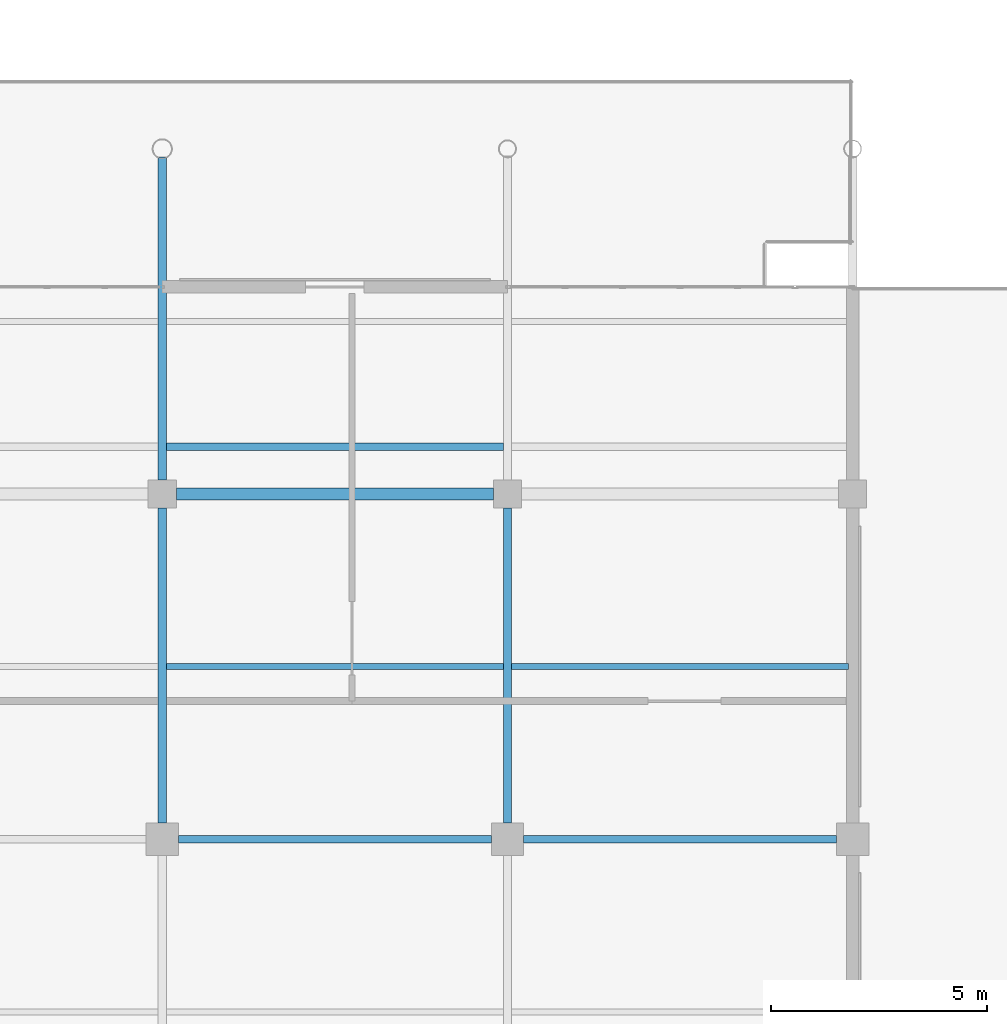
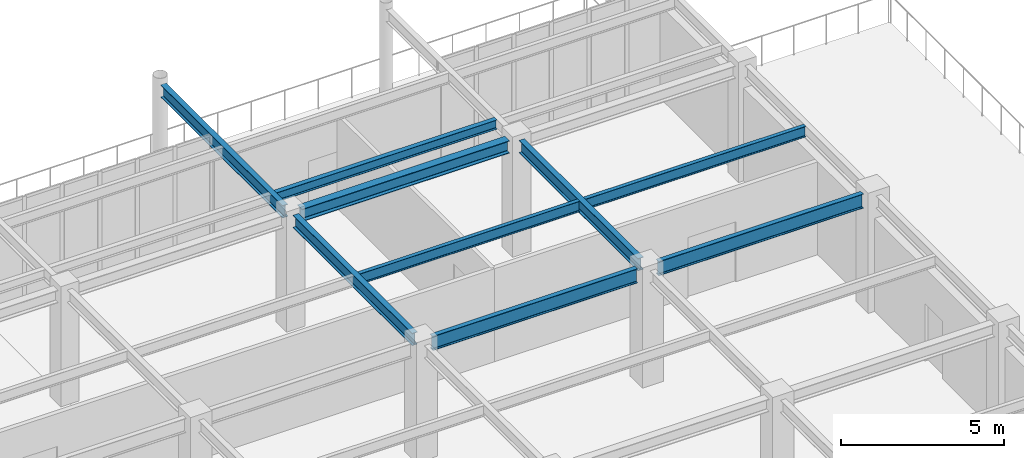
# One storey, part 25 of 75: 9 beams.
"""IFC4 building model written with IfcOpenShell, lengths in metres."""

from ifc_helpers import new_model, si_unit, direction, frame, origin, origin_2d, place, context, subcontext, project, spatial, i_section, extrude, material, material_profile, profile_set, type_object, element, save


model = new_model("IFC4")

# Units and contexts
model_context = context("Model", 3, precision=1e-05, world=origin(), true_north=direction((0.0, 1.0)))
body_context = subcontext(model_context, "Body", "Model", "MODEL_VIEW")
ifc_project = project(units=[si_unit("LENGTHUNIT", "METRE"), si_unit("AREAUNIT", "SQUARE_METRE"), si_unit("VOLUMEUNIT", "CUBIC_METRE"), si_unit("PLANEANGLEUNIT", "RADIAN"), si_unit("MASSUNIT", "GRAM", prefix="KILO")], contexts=[model_context])

# Site, building, storey
site_placement = place(None, origin())
site = spatial("IfcSite", under=ifc_project, at=site_placement, CompositionType="ELEMENT")
building_placement = place(site_placement, origin())
building = spatial("IfcBuilding", under=site, at=building_placement, Name="Solmirada Galleria", CompositionType="ELEMENT")
storey_placement = place(building_placement, frame((0.0, 0.0, 19.39990234375)))
storey = spatial("IfcBuildingStorey", under=building, at=storey_placement, Name="L04", CompositionType="ELEMENT", Elevation=19.39990234375)

# Beams
ifc_material = material(Name="Steel S355 / ASTM A992 Grade 50", Category="steel")
ifc_material_profile_1 = material_profile(ifc_material, i_section(OverallWidth=0.281982421875, OverallDepth=0.467041015625, WebThickness=0.01220703125, FlangeThickness=0.01953125, FilletRadius=0.013916015625, at=origin_2d()), Name="W18X86")
ifc_profile_set_1 = profile_set([ifc_material_profile_1], Name="Steel S355 / ASTM A992 Grade 50")
beam_type_1 = type_object("IfcBeamType", Name="BM-GIRD-W18A", PredefinedType="BEAM", material=ifc_profile_set_1)
beam_1_placement = place(storey_placement, frame((120.324951171875, 24.0, 4.026611328125), z_axis=(1.0, 0.0, 0.0), x_axis=(0.0, 1.0, 0.0)))
element("IfcBeam", 1, at=beam_1_placement, inside=storey, type_object=beam_type_1, Name="Primary beam L05 X(120..128, 24)", PredefinedType="BEAM", context=body_context, shape_type="SweptSolid", body=[
    extrude(i_section(OverallWidth=0.281982421875, OverallDepth=0.467041015625, WebThickness=0.01220703125, FlangeThickness=0.01953125, FilletRadius=0.013916015625, at=origin_2d()), origin(), (0.0, 0.0, 1.0), 7.35009765625),
])
ifc_material_profile_2 = material_profile(ifc_material, i_section(OverallWidth=0.193115234375, OverallDepth=0.466064453125, WebThickness=0.011474609375, FlangeThickness=0.01904296875, FilletRadius=0.013916015625, at=origin_2d()), Name="W18X65")
ifc_profile_set_2 = profile_set([ifc_material_profile_2], Name="Steel S355 / ASTM A992 Grade 50")
beam_type_2 = type_object("IfcBeamType", Name="BM-GIRD-W18C", PredefinedType="BEAM", material=ifc_profile_set_2)
beam_2_placement = place(storey_placement, frame((120.0, 16.375, 4.067138671875), z_axis=(0.0, 1.0, 0.0), x_axis=(-1.0, 0.0, 0.0)))
element("IfcBeam", 2, at=beam_2_placement, inside=storey, type_object=beam_type_2, Name="Primary girder L05 Y(120, 16..24)", PredefinedType="BEAM", context=body_context, shape_type="SweptSolid", body=[
    extrude(i_section(OverallWidth=0.193115234375, OverallDepth=0.466064453125, WebThickness=0.011474609375, FlangeThickness=0.01904296875, FilletRadius=0.013916015625, at=origin_2d()), origin(), (0.0, 0.0, 1.0), 7.300048828125),
])
beam_3_placement = place(storey_placement, frame((120.0, 24.324951171875, 4.027099609375), z_axis=(0.0, 1.0, 0.0), x_axis=(-1.0, 0.0, 0.0)))
element("IfcBeam", 3, at=beam_3_placement, inside=storey, type_object=beam_type_2, Name="Primary girder L05 Y(120, 24..32)", PredefinedType="BEAM", context=body_context, shape_type="SweptSolid", body=[
    extrude(i_section(OverallWidth=0.193115234375, OverallDepth=0.466064453125, WebThickness=0.011474609375, FlangeThickness=0.01904296875, FilletRadius=0.013916015625, at=origin_2d()), origin(), (0.0, 0.0, 1.0), 7.483154296875),
])
beam_4_placement = place(storey_placement, frame((128.0, 16.375, 4.067138671875), z_axis=(0.0, 1.0, 0.0), x_axis=(-1.0, 0.0, 0.0)))
element("IfcBeam", 4, at=beam_4_placement, inside=storey, type_object=beam_type_2, Name="Primary girder L05 Y(128, 16..24)", PredefinedType="BEAM", context=body_context, shape_type="SweptSolid", body=[
    extrude(i_section(OverallWidth=0.193115234375, OverallDepth=0.466064453125, WebThickness=0.011474609375, FlangeThickness=0.01904296875, FilletRadius=0.013916015625, at=origin_2d()), origin(), (0.0, 0.0, 1.0), 7.300048828125),
])
ifc_material_profile_3 = material_profile(ifc_material, i_section(OverallWidth=0.1669921875, OverallDepth=0.534912109375, WebThickness=0.01025390625, FlangeThickness=0.0166015625, FilletRadius=0.013916015625, at=origin_2d()), Name="W21X57")
ifc_profile_set_3 = profile_set([ifc_material_profile_3], Name="Steel S355 / ASTM A992 Grade 50")
beam_type_3 = type_object("IfcBeamType", Name="BM-GIRD-W21C", PredefinedType="BEAM", material=ifc_profile_set_3)
for number, where, z_axis, x_axis, name in (
    (5, (120.375, 16.0, 4.03271484375), (1.0, 0.0, 0.0), (0.0, 1.0, 0.0), "Primary beam L05 X(120..128, 16)"),
    (6, (128.375, 16.0, 4.03271484375), (1.0, 0.0, 0.0), (0.0, 1.0, 0.0), "Primary beam L05 X(128..136, 16)"),
):
    element("IfcBeam", number, at=place(storey_placement, frame(where, z_axis=z_axis, x_axis=x_axis)), inside=storey, type_object=beam_type_3, Name=name, PredefinedType="BEAM", context=body_context, shape_type="SweptSolid", body=[
        extrude(i_section(OverallWidth=0.1669921875, OverallDepth=0.534912109375, WebThickness=0.01025390625, FlangeThickness=0.0166015625, FilletRadius=0.013916015625, at=origin_2d()), origin(), (0.0, 0.0, 1.0), 7.25),
    ])
ifc_material_profile_4 = material_profile(ifc_material, i_section(OverallWidth=0.1708984375, OverallDepth=0.35205078125, WebThickness=0.0068359375, FlangeThickness=0.009765625, FilletRadius=0.010986328125, at=origin_2d()), Name="W14X30")
ifc_profile_set_4 = profile_set([ifc_material_profile_4], Name="Steel S355 / ASTM A992 Grade 50")
beam_type_4 = type_object("IfcBeamType", Name="BM-JST-W14B", PredefinedType="JOIST", material=ifc_profile_set_4)
beam_5_placement = place(storey_placement, frame((120.096435546875, 25.10009765625, 4.083984375), z_axis=(1.0, 0.0, 0.0), x_axis=(0.0, 1.0, 0.0)))
element("IfcBeam", 7, at=beam_5_placement, inside=storey, type_object=beam_type_4, Name="Terrace deck joist L05-TERR-SE X=120..128 (1)", PredefinedType="JOIST", context=body_context, shape_type="SweptSolid", body=[
    extrude(i_section(OverallWidth=0.1708984375, OverallDepth=0.35205078125, WebThickness=0.0068359375, FlangeThickness=0.009765625, FilletRadius=0.010986328125, at=origin_2d()), origin(), (0.0, 0.0, 1.0), 7.80712890625),
])
ifc_material_profile_5 = material_profile(ifc_material, i_section(OverallWidth=0.139892578125, OverallDepth=0.39892578125, WebThickness=0.00634765625, FlangeThickness=0.0087890625, FilletRadius=0.010986328125, at=origin_2d()), Name="W16X26")
ifc_profile_set_5 = profile_set([ifc_material_profile_5], Name="Steel S355 / ASTM A992 Grade 50")
beam_type_5 = type_object("IfcBeamType", Name="BM-JST-W16C", PredefinedType="JOIST", material=ifc_profile_set_5)
for number, where, z_axis, x_axis, name in (
    (8, (120.096435546875, 20.0, 4.1005859375), (1.0, 0.0, 0.0), (0.0, 1.0, 0.0), "Composite floor joist L05 (120..128, 20.0)"),
    (9, (128.096435546875, 20.0, 4.1005859375), (1.0, 0.0, 0.0), (0.0, 1.0, 0.0), "Composite floor joist L05 (128..136, 20.0)"),
):
    element("IfcBeam", number, at=place(storey_placement, frame(where, z_axis=z_axis, x_axis=x_axis)), inside=storey, type_object=beam_type_5, Name=name, PredefinedType="JOIST", context=body_context, shape_type="SweptSolid", body=[
        extrude(i_section(OverallWidth=0.139892578125, OverallDepth=0.39892578125, WebThickness=0.00634765625, FlangeThickness=0.0087890625, FilletRadius=0.010986328125, at=origin_2d()), origin(), (0.0, 0.0, 1.0), 7.80712890625),
    ])

save(model, "model.ifc")
